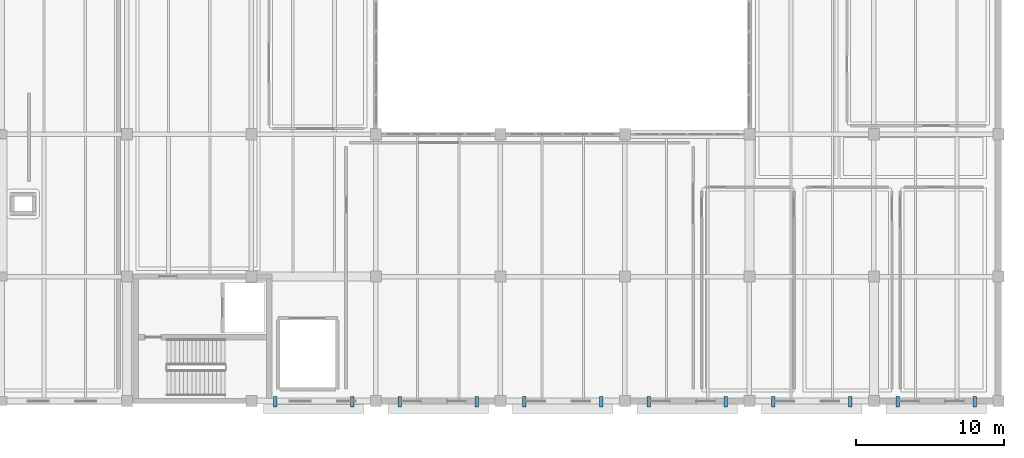
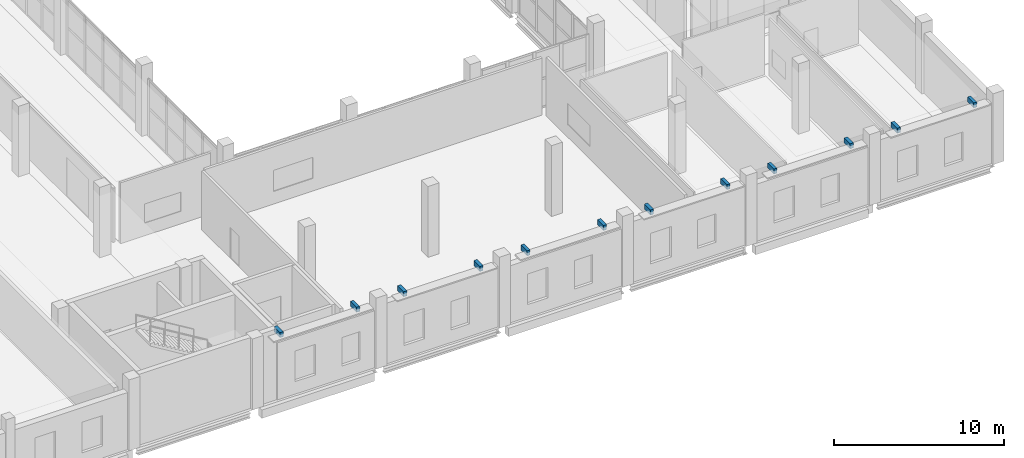
# One storey, part 68 of 77: 12 discrete accessories.
"""IFC4 building model written with IfcOpenShell, lengths in metres."""

import ifcopenshell
import ifcopenshell.guid

model = None  # the IFC model being written
_history = None  # IfcOwnerHistory: only IFC2X3 demands one
_inside = {}  # id of a spatial element -> (the spatial element, [elements in it])
_under = {}  # id of a project, library or spatial element -> (it, [spatial elements below it])
_declared = {}  # id of a project -> (the project, [libraries it declares])
_typed = {}  # id of a type object -> (the type object, [elements of that type])
_made_of = {}  # id of a material, layer set ... -> (it, [elements and type objects made of it])


def new_model(schema):
    """Start an empty IFC model of exactly this schema.

    Asked for "IFC4X3", IfcOpenShell would pick the latest addendum, in which some entities
    have other attributes; the version numbers below select the first issue.
    IFC2X3 requires an IfcOwnerHistory on every rooted entity: one is made here for all.
    """
    global model, _history
    if schema == "IFC4X3":
        model = ifcopenshell.file(schema_version=(4, 3, 0, 0))
    else:
        model = ifcopenshell.file(schema=schema)
    _inside.clear()
    _under.clear()
    _declared.clear()
    _typed.clear()
    _made_of.clear()
    _history = None
    if model.schema == "IFC2X3":
        org = make("IfcOrganization", Name="unknown")
        user = make(
            "IfcPersonAndOrganization",
            ThePerson=make("IfcPerson", FamilyName="unknown"),
            TheOrganization=org,
        )
        app = make(
            "IfcApplication",
            ApplicationDeveloper=org,
            Version="unknown",
            ApplicationFullName="unknown",
            ApplicationIdentifier="unknown",
        )
        _history = make(
            "IfcOwnerHistory",
            OwningUser=user,
            OwningApplication=app,
            ChangeAction="ADDED",
            CreationDate=0,
        )
    return model


def make(cls, **values):
    """One entity of the class cls with the attributes given. An attribute that is None is left unset."""
    return model.create_entity(
        cls, **{name: value for name, value in values.items() if value is not None}
    )


def rooted(cls, **values):
    """An entity with a GlobalId (a new one), such as an element, a storey or a relation."""
    return make(cls, GlobalId=ifcopenshell.guid.new(), OwnerHistory=_history, **values)


def si_unit(unit_type, name, prefix=None):
    """IfcSIUnit, for example si_unit("LENGTHUNIT", "METRE", prefix="MILLI")."""
    return make("IfcSIUnit", UnitType=unit_type, Prefix=prefix, Name=name)


def assignment(units):
    """IfcUnitAssignment: the units of a project."""
    return None if units is None else make("IfcUnitAssignment", Units=units)


def point(xyz):
    """IfcCartesianPoint."""
    return None if xyz is None else make("IfcCartesianPoint", Coordinates=xyz)


def direction(xyz):
    """IfcDirection."""
    return None if xyz is None else make("IfcDirection", DirectionRatios=xyz)


def frame(location, z_axis=None, x_axis=None):
    """IfcAxis2Placement3D, a coordinate frame: its origin and axes. An axis left out is left unset."""
    return make(
        "IfcAxis2Placement3D",
        Location=point(location),
        Axis=direction(z_axis),
        RefDirection=direction(x_axis),
    )


def frame_2d(location, x_axis=None):
    """IfcAxis2Placement2D, a coordinate frame in the plane: its origin and x axis."""
    return make(
        "IfcAxis2Placement2D", Location=point(location), RefDirection=direction(x_axis)
    )


def origin():
    """The frame at (0, 0, 0) with its axes left unset."""
    return frame((0.0, 0.0, 0.0))


def origin_2d():
    """The frame at (0, 0) in the plane with its x axis left unset."""
    return frame_2d((0.0, 0.0))


def place(relative_to, where):
    """IfcLocalPlacement: puts the frame where relative to a parent placement (None: the world)."""
    return make(
        "IfcLocalPlacement", PlacementRelTo=relative_to, RelativePlacement=where
    )


def context(
    kind, dimensions, precision=None, world=None, true_north=None, identifier=None
):
    """IfcGeometricRepresentationContext, for example the 3D "Model" context."""
    return make(
        "IfcGeometricRepresentationContext",
        ContextIdentifier=identifier,
        ContextType=kind,
        CoordinateSpaceDimension=dimensions,
        Precision=precision,
        WorldCoordinateSystem=world,
        TrueNorth=true_north,
    )


def subcontext(parent, identifier, kind, view, scale=None):
    """IfcGeometricRepresentationSubContext, for example "Body" below "Model"."""
    return make(
        "IfcGeometricRepresentationSubContext",
        ContextIdentifier=identifier,
        ContextType=kind,
        ParentContext=parent,
        TargetScale=scale,
        TargetView=view,
    )


def project(units=None, contexts=None):
    """IfcProject with its units and contexts."""
    return rooted(
        "IfcProject",
        Name="project",
        RepresentationContexts=contexts,
        UnitsInContext=assignment(units),
    )


def spatial(cls, under=None, at=None, **own):
    """A site, building, storey or space (cls), placed at a placement, below another one or the project."""
    s = rooted(cls, ObjectPlacement=at, **own)
    if under is not None:
        _under.setdefault(under.id(), (under, []))[1].append(s)
    return s


def profile(cls, at=None, kind="AREA", **sizes):
    """A parametric profile (cls). Its sizes go by their IFC names, for example OverallWidth=200.0."""
    return make(cls, ProfileType=kind, Position=at, **sizes)


def rectangle(**sizes):
    """IfcRectangleProfileDef."""
    return profile("IfcRectangleProfileDef", **sizes)


def extrude(swept, where, along, depth):
    """IfcExtrudedAreaSolid: the profile swept, set in the frame where, extruded along a direction by depth."""
    return make(
        "IfcExtrudedAreaSolid",
        SweptArea=swept,
        Position=where,
        ExtrudedDirection=direction(along),
        Depth=depth,
    )


def shape(context_of_items, identifier, shape_type, items):
    """IfcShapeRepresentation: the items that make up one representation, for example the "Body"."""
    return make(
        "IfcShapeRepresentation",
        ContextOfItems=context_of_items,
        RepresentationIdentifier=identifier,
        RepresentationType=shape_type,
        Items=items,
    )


def material(Name=None, Category=None):
    """IfcMaterial."""
    return make("IfcMaterial", Name=Name, Category=Category)


def made_of(thing, what):
    """Note that an element or type object is made of a material, layer set ...; save() writes the relation."""
    if what is not None:
        _made_of.setdefault(what.id(), (what, []))[1].append(thing)
    return thing


def type_object(cls, material=None, **own):
    """A type object (cls), such as IfcWallType, which elements share."""
    return made_of(rooted(cls, **own), material)


def element(
    cls,
    number,
    at=None,
    inside=None,
    cuts=None,
    type_object=None,
    material=None,
    context=None,
    identifier="Body",
    shape_type=None,
    held_by="IfcProductDefinitionShape",
    body=None,
    shapes=None,
    **own,
):
    """One element of the class cls, such as IfcWall. Its Tag is "e" and its number.

    at: its placement. inside: the storey or other place that contains it. cuts: it is an
    opening in that element (IfcRelVoidsElement). A single representation is given by context,
    identifier, shape_type and body (its items); several are given by shapes. held_by: the class
    of the entity that holds the representations. save() writes the other relations.
    """
    e = rooted(cls, Tag="e%d" % number, ObjectPlacement=at, **own)
    if body is not None:
        shapes = [shape(context, identifier, shape_type, body)]
    if shapes is not None:
        e.Representation = make(held_by, Representations=shapes)
    if inside is not None:
        _inside.setdefault(inside.id(), (inside, []))[1].append(e)
    if cuts is not None:
        rooted(
            "IfcRelVoidsElement", RelatingBuildingElement=cuts, RelatedOpeningElement=e
        )
    if type_object is not None:
        _typed.setdefault(type_object.id(), (type_object, []))[1].append(e)
    return made_of(e, material)


def aggregate(whole, parts):
    """IfcRelAggregates: a whole, such as a stair, and the parts it consists of."""
    return rooted("IfcRelAggregates", RelatingObject=whole, RelatedObjects=parts)


def save(model, path):
    """Write the relations noted so far, then the file.

    IfcRelAggregates (storeys below a building ...), IfcRelContainedInSpatialStructure (elements
    in a storey), IfcRelDefinesByType, IfcRelAssociatesMaterial and IfcRelDeclares: one each for
    every whole, place, type object, material and project.
    """
    for whole, parts in _under.values():
        aggregate(whole, parts)
    for where, things in _inside.values():
        rooted(
            "IfcRelContainedInSpatialStructure",
            RelatedElements=things,
            RelatingStructure=where,
        )
    for kind, things in _typed.values():
        rooted("IfcRelDefinesByType", RelatedObjects=things, RelatingType=kind)
    for what, things in _made_of.values():
        rooted("IfcRelAssociatesMaterial", RelatedObjects=things, RelatingMaterial=what)
    for by, libraries in _declared.values():
        rooted("IfcRelDeclares", RelatingContext=by, RelatedDefinitions=libraries)
    model.write(path)


model = new_model("IFC4")

# Units and contexts
model_context = context("Model", 3, precision=1e-05, world=origin(), true_north=direction((0.0, 1.0)))
body_context = subcontext(model_context, "Body", "Model", "MODEL_VIEW")
ifc_project = project(units=[si_unit("LENGTHUNIT", "METRE"), si_unit("AREAUNIT", "SQUARE_METRE"), si_unit("VOLUMEUNIT", "CUBIC_METRE"), si_unit("PLANEANGLEUNIT", "RADIAN"), si_unit("MASSUNIT", "GRAM", prefix="KILO")], contexts=[model_context])

# Site, building, storey
site_placement = place(None, origin())
site = spatial("IfcSite", under=ifc_project, at=site_placement, CompositionType="ELEMENT")
building_placement = place(site_placement, origin())
building = spatial("IfcBuilding", under=site, at=building_placement, Name="Zulmaris Art Gallery", CompositionType="ELEMENT")
storey_placement = place(building_placement, frame((0.0, 0.0, 15.60009765625)))
storey = spatial("IfcBuildingStorey", under=building, at=storey_placement, Name="L03", CompositionType="ELEMENT", Elevation=15.60009765625)

# Discrete accessories
ifc_material = material(Name="Steel S355J2", Category="steel")
discrete_accessory_type = type_object("IfcDiscreteAccessoryType", Name="ACC-BRK01", PredefinedType="BRACKET", material=ifc_material)
for number, where, z_axis, x_axis, name in (
    (1, (151.60009765625, 13.14990234375, 4.56982421875), (0.0, 0.0, 1.0), (1.0, 0.0, 0.0), "L03 Solar louvre bracket"),
    (2, (156.800048828125, 13.14990234375, 4.56982421875), (0.0, 0.0, 1.0), (1.0, 0.0, 0.0), "L03 Solar louvre bracket"),
    (3, (160.0, 13.14990234375, 4.56982421875), (0.0, 0.0, 1.0), (1.0, 0.0, 0.0), "L03 Solar louvre bracket"),
    (4, (165.199951171875, 13.14990234375, 4.56982421875), (0.0, 0.0, 1.0), (1.0, 0.0, 0.0), "L03 Solar louvre bracket"),
    (5, (168.39990234375, 13.14990234375, 4.56982421875), (0.0, 0.0, 1.0), (1.0, 0.0, 0.0), "L03 Solar louvre bracket"),
    (6, (173.60009765625, 13.14990234375, 4.56982421875), (0.0, 0.0, 1.0), (1.0, 0.0, 0.0), "L03 Solar louvre bracket"),
    (7, (176.800048828125, 13.14990234375, 4.56982421875), (0.0, 0.0, 1.0), (1.0, 0.0, 0.0), "L03 Solar louvre bracket"),
    (8, (182.0, 13.14990234375, 4.56982421875), (0.0, 0.0, 1.0), (1.0, 0.0, 0.0), "L03 Solar louvre bracket"),
    (9, (185.199951171875, 13.14990234375, 4.56982421875), (0.0, 0.0, 1.0), (1.0, 0.0, 0.0), "L03 Solar louvre bracket"),
    (10, (190.39990234375, 13.14990234375, 4.56982421875), (0.0, 0.0, 1.0), (1.0, 0.0, 0.0), "L03 Solar louvre bracket"),
    (11, (193.60009765625, 13.14990234375, 4.56982421875), (0.0, 0.0, 1.0), (1.0, 0.0, 0.0), "L03 Solar louvre bracket"),
    (12, (198.800048828125, 13.14990234375, 4.56982421875), (0.0, 0.0, 1.0), (1.0, 0.0, 0.0), "L03 Solar louvre bracket"),
):
    element("IfcDiscreteAccessory", number, at=place(storey_placement, frame(where, z_axis=z_axis, x_axis=x_axis)), inside=storey, type_object=discrete_accessory_type, Name=name, PredefinedType="BRACKET", context=body_context, shape_type="SweptSolid", body=[
        extrude(rectangle(XDim=0.219970703125, YDim=0.719970703125, at=origin_2d()), origin(), (0.0, 0.0, 1.0), 0.360107421875),
    ])

save(model, "model.ifc")
